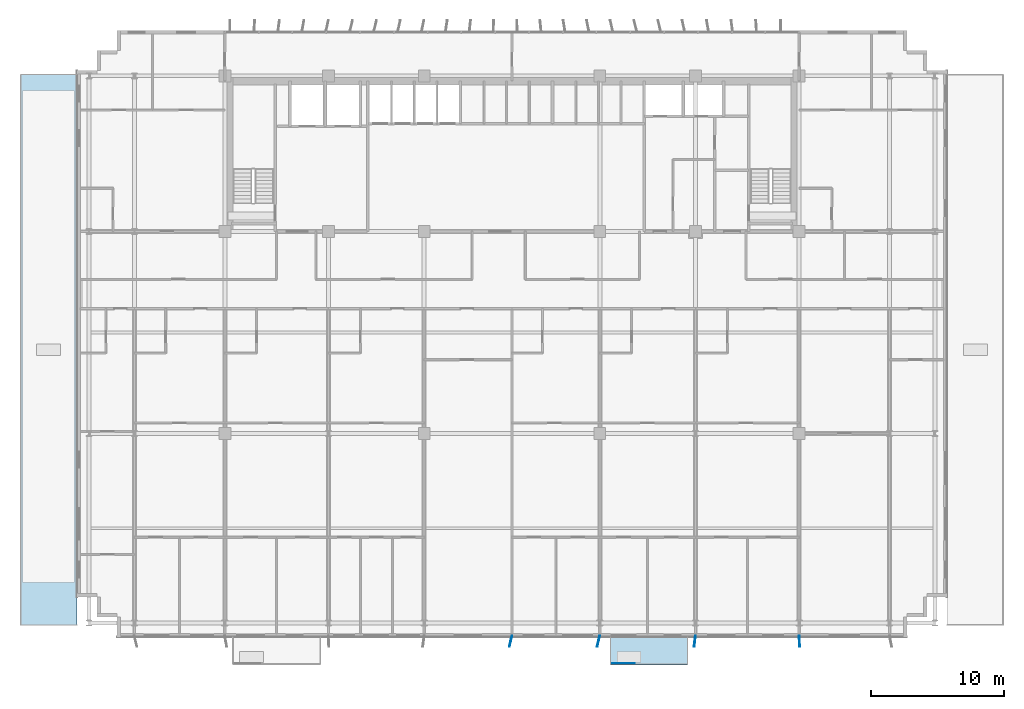
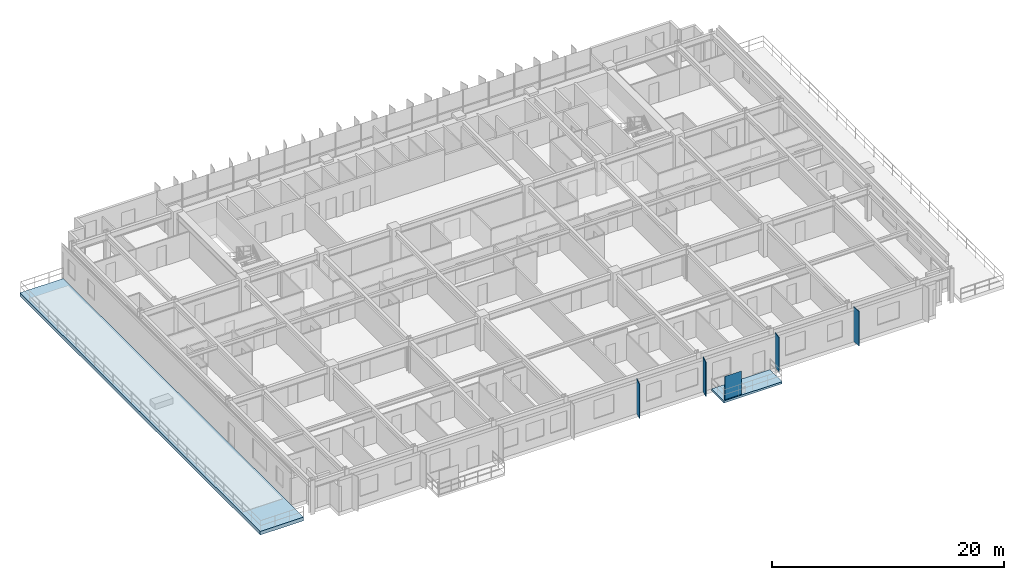
# One storey, part 13 of 26: 5 plates, 2 slabs.
"""IFC4 building model written with IfcOpenShell, lengths in metres."""

from ifc_helpers import new_model, si_unit, direction, frame, origin, origin_2d, place, context, subcontext, project, spatial, polyline, rectangle, outline, extrude, source, transform, mapped, material, layer, layer_set, type_object, element, save


model = new_model("IFC4")

# Units and contexts
model_context = context("Model", 3, precision=1e-05, world=origin(), true_north=direction((0.0, 1.0)))
body_context = subcontext(model_context, "Body", "Model", "MODEL_VIEW")
ifc_project = project(units=[si_unit("LENGTHUNIT", "METRE"), si_unit("AREAUNIT", "SQUARE_METRE"), si_unit("VOLUMEUNIT", "CUBIC_METRE"), si_unit("PLANEANGLEUNIT", "RADIAN"), si_unit("MASSUNIT", "GRAM", prefix="KILO")], contexts=[model_context])

# Site, building, storey
site_placement = place(None, origin())
site = spatial("IfcSite", under=ifc_project, at=site_placement, CompositionType="ELEMENT")
building_placement = place(site_placement, origin())
building = spatial("IfcBuilding", under=site, at=building_placement, Name="Trelvane Seafront Commons", CompositionType="ELEMENT")
storey_placement = place(building_placement, frame((0.0, 0.0, 23.5)))
storey = spatial("IfcBuildingStorey", under=building, at=storey_placement, Name="L05", CompositionType="ELEMENT", Elevation=23.5)

# Slabs
ifc_material_1 = material(Name="Concrete C40/50", Category="concrete")
ifc_layer_1 = layer(ifc_material_1, 0.219970703125, Name="ARCH-BALC-220")
ifc_layer_set_1 = layer_set([ifc_layer_1], Name="Concrete C40/50")
slab_type_1 = type_object("IfcSlabType", Name="ARCH-BALC-220", PredefinedType="FLOOR", material=ifc_layer_set_1)
slab_1_placement = place(storey_placement, frame((0.0, 0.0, -0.219970703125)))
element("IfcSlab", 1, at=slab_1_placement, inside=storey, type_object=slab_type_1, Name="L05 Cantilevered Tree Balcony Loggia 2", PredefinedType="FLOOR", context=body_context, shape_type="SweptSolid", body=[
    extrude(outline(polyline([(44.60009765625, 0.800048828125), (50.39990234375, 0.800048828125), (50.39990234375, 2.89990234375), (44.60009765625, 2.89990234375), (44.60009765625, 0.800048828125)])), origin(), (0.0, 0.0, 1.0), 0.219970703125),
])
ifc_material_2 = material(Name="Concrete C60/75", Category="concrete")
ifc_layer_2 = layer(ifc_material_2, 0.3798828125, Name="STR-SLB-T380")
ifc_layer_set_2 = layer_set([ifc_layer_2], Name="Concrete C60/75")
slab_type_2 = type_object("IfcSlabType", Name="STR-SLB-T380", PredefinedType="FLOOR", material=ifc_layer_set_2)
slab_2_placement = place(storey_placement, frame((0.0, 0.0, -0.3798828125)))
element("IfcSlab", 2, at=slab_2_placement, inside=storey, type_object=slab_type_2, Name="L05 Tower Base Podium Roof Garden W", PredefinedType="FLOOR", context=body_context, shape_type="SweptSolid", body=[
    extrude(outline(polyline([(0.199951171875, 3.800048828125), (4.5, 3.800048828125), (4.5, 45.199951171875), (0.199951171875, 45.199951171875), (0.199951171875, 3.800048828125)])), origin(), (0.0, 0.0, 1.0), 0.3798828125),
])

# Plates
ifc_material_3 = material(Name="Perforated anodised aluminium screen", Category="aluminium")
ifc_layer_3 = layer(ifc_material_3, 0.01611328125, Name="ARCH-PLATE-SCREEN")
ifc_layer_set_3 = layer_set([ifc_layer_3], Name="Perforated anodised aluminium screen")
plate_type_1 = type_object("IfcPlateType", Name="ARCH-PLATE-SCREEN", PredefinedType="USERDEFINED", material=ifc_layer_set_3)
shared_shape_1 = source(origin(), body_context, "Body", "SweptSolid", [
    extrude(rectangle(XDim=1.681884765625, YDim=0.01611328125, at=origin_2d()), origin(), (0.0, 0.0, 1.0), 2.449951171875),
])
plate_placement = place(storey_placement, frame((45.591064453125, 0.919921875, 0.0), z_axis=(0.0, 0.0, 1.0), x_axis=(1.0, 0.0, 0.0)))
element("IfcPlate", 3, at=plate_placement, inside=storey, type_object=plate_type_1, Name="SCR-L05-00017", ObjectType="SCREEN", PredefinedType="USERDEFINED", context=body_context, shape_type="MappedRepresentation", body=[
    mapped(shared_shape_1, transform((0.0, 0.0, 0.0), x_axis=(1.0, 0.0, 0.0), y_axis=(0.0, 1.0, 0.0), z_axis=(0.0, 0.0, 1.0), scale=1.0)),
])
ifc_material_4 = material(Name="Anodised pale-silver aluminium", Category="aluminium")
ifc_layer_4 = layer(ifc_material_4, 0.06005859375, Name="ARCH-PLATE-FIN900")
ifc_layer_set_4 = layer_set([ifc_layer_4], Name="Anodised pale-silver aluminium")
plate_type_2 = type_object("IfcPlateType", Name="ARCH-PLATE-FIN900", PredefinedType="USERDEFINED", material=ifc_layer_set_4)
shared_shape_2 = source(origin(), body_context, "Body", "SweptSolid", [
    extrude(rectangle(XDim=0.85009765625, YDim=0.06005859375, at=origin_2d()), origin(), (0.0, 0.0, 1.0), 3.639892578125),
])
for number, where, z_axis, x_axis, name in (
    (4, (37.10302734375, 2.586181640625, -0.02001953125), (0.0, 0.0, 1.0), (-0.228226825509, -0.973607988935, 0.0), "FIN-S-L05-00029"),
    (5, (43.70361328125, 2.586181640625, -0.02001953125), (0.0, 0.0, 1.0), (-0.226834893554, -0.973933227211, 0.0), "FIN-S-L05-00030"),
    (6, (50.94921875, 2.578125, -0.02001953125), (0.0, 0.0, 1.0), (-0.119530375507, -0.992830544117, 0.0), "FIN-S-L05-00031"),
    (7, (58.8193359375, 2.575439453125, -0.02001953125), (0.0, 0.0, 1.0), (0.045530366617, -0.998962955127, 0.0), "FIN-S-L05-00032"),
):
    element("IfcPlate", number, at=place(storey_placement, frame(where, z_axis=z_axis, x_axis=x_axis)), inside=storey, type_object=plate_type_2, Name=name, ObjectType="FIN", PredefinedType="USERDEFINED", context=body_context, shape_type="MappedRepresentation", body=[
        mapped(shared_shape_2, transform((0.0, 0.0, 0.0), x_axis=(1.0, 0.0, 0.0), y_axis=(0.0, 1.0, 0.0), z_axis=(0.0, 0.0, 1.0), scale=1.0)),
    ])

save(model, "model.ifc")
